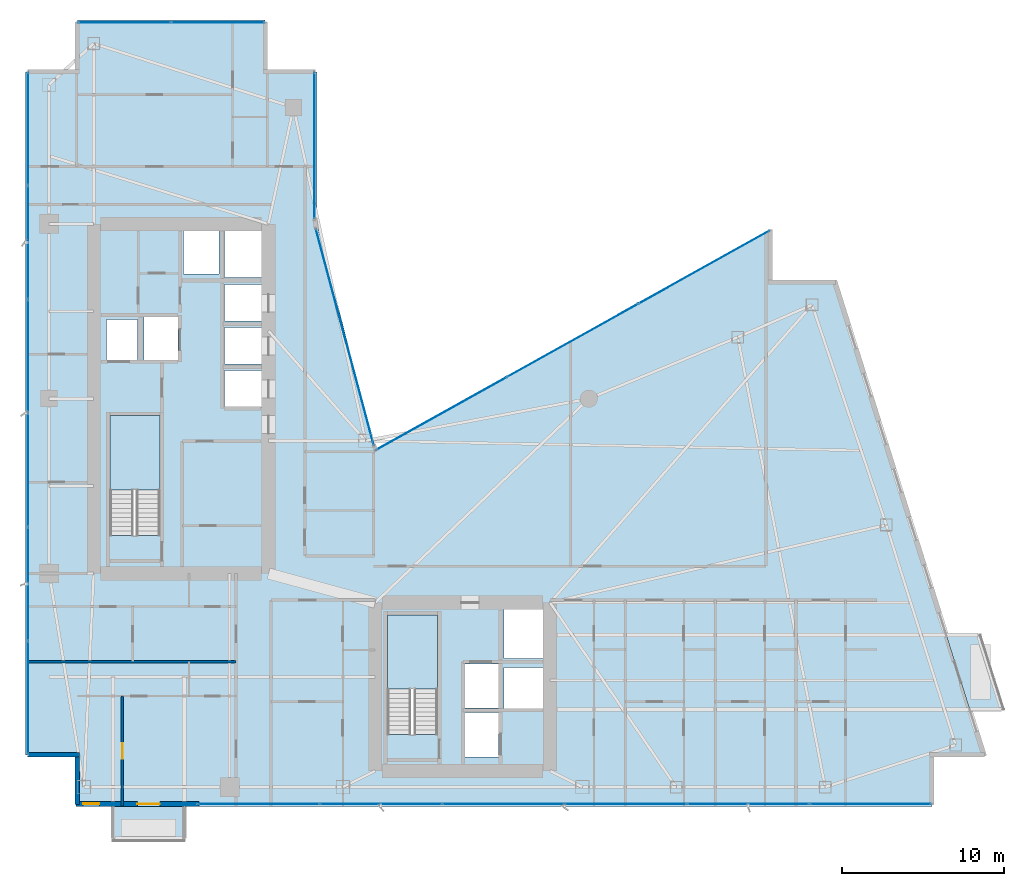
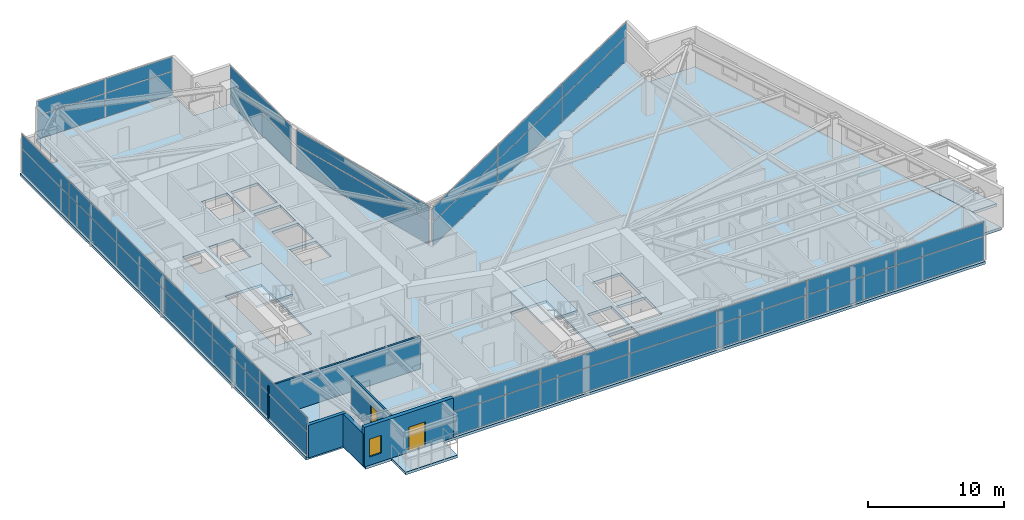
# One storey, part 21 of 29: 38 plates, 5 slabs, 5 walls, 2 doors, 1 window, 3 openings, 8 elements without a shape of their own.
"""IFC4 building model written with IfcOpenShell, lengths in metres."""

from ifc_helpers import new_model, si_unit, direction, frame, frame_2d, origin, origin_2d, place, context, subcontext, project, spatial, polyline, rectangle, outline, extrude, material, layer, layer_set, type_object, element, fill, aggregate, save


model = new_model("IFC4")

# Units and contexts
model_context = context("Model", 3, precision=1e-05, world=origin(), true_north=direction((0.0, 1.0)))
body_context = subcontext(model_context, "Body", "Model", "MODEL_VIEW")
ifc_project = project(units=[si_unit("LENGTHUNIT", "METRE"), si_unit("AREAUNIT", "SQUARE_METRE"), si_unit("VOLUMEUNIT", "CUBIC_METRE"), si_unit("PLANEANGLEUNIT", "RADIAN"), si_unit("MASSUNIT", "GRAM", prefix="KILO")], contexts=[model_context])

# Site, building, storey
site_placement = place(None, origin())
site = spatial("IfcSite", under=ifc_project, at=site_placement, CompositionType="ELEMENT")
building_placement = place(site_placement, origin())
building = spatial("IfcBuilding", under=site, at=building_placement, Name="Calvorn Quay Hotel", CompositionType="ELEMENT")
storey_placement = place(building_placement, frame((0.0, 0.0, 167.5)))
storey = spatial("IfcBuildingStorey", under=building, at=storey_placement, Name="L41", CompositionType="ELEMENT", Elevation=167.5)

# Curtain wall, plates
ifc_material_1 = material(Name="Pale Anodised Aluminium and Low-E Glass", Category="aluminium")
ifc_layer_1 = layer(ifc_material_1, 0.219970703125)
ifc_layer_set_1 = layer_set([ifc_layer_1], Name="CW-SYS-Z2")
curtain_wall_type = type_object("IfcCurtainWallType", Name="CW-SYS-Z2", PredefinedType="NOTDEFINED", material=ifc_layer_set_1)
curtain_wall_1_placement = place(storey_placement, origin())
curtain_wall_1 = element("IfcCurtainWall", 1, at=curtain_wall_1_placement, inside=storey, type_object=curtain_wall_type, Name="Tower West Curtain Wall (L41)", PredefinedType="NOTDEFINED")
ifc_material_2 = material(Name="Low-E Laminated Double Glazing", Category="glass")
ifc_layer_2 = layer(ifc_material_2, 0.028076171875)
ifc_layer_set_2 = layer_set([ifc_layer_2], Name="CW-SYS-Z2-PAN")
plate_type = type_object("IfcPlateType", Name="CW-SYS-Z2-PAN", PredefinedType="CURTAIN_PANEL", material=ifc_layer_set_2)
plate_1_placement = place(storey_placement, frame((0.14990234375, 9.131591796875, 0.06005859375), z_axis=(0.0, 0.0, 1.0), x_axis=(0.0, 1.0, 0.0)))
plate_1 = element("IfcPlate", 2, at=plate_1_placement, type_object=plate_type, Name="CW-L41-W panel 1.1", PredefinedType="CURTAIN_PANEL", context=body_context, shape_type="SweptSolid", body=[
    extrude(rectangle(XDim=6.943359375, YDim=0.028076171875, at=origin_2d()), origin(), (0.0, 0.0, 1.0), 2.110107421875),
])
plate_2_placement = place(storey_placement, frame((0.14990234375, 9.131591796875, 2.22998046875), z_axis=(0.0, 0.0, 1.0), x_axis=(0.0, 1.0, 0.0)))
plate_2 = element("IfcPlate", 3, at=plate_2_placement, type_object=plate_type, Name="CW-L41-W panel 1.2", PredefinedType="CURTAIN_PANEL", context=body_context, shape_type="SweptSolid", body=[
    extrude(rectangle(XDim=6.943359375, YDim=0.028076171875, at=origin_2d()), origin(), (0.0, 0.0, 1.0), 1.27001953125),
])
plate_3_placement = place(storey_placement, frame((0.14990234375, 16.14990234375, 0.06005859375), z_axis=(0.0, 0.0, 1.0), x_axis=(0.0, 1.0, 0.0)))
plate_3 = element("IfcPlate", 4, at=plate_3_placement, type_object=plate_type, Name="CW-L41-W panel 2.1", PredefinedType="CURTAIN_PANEL", context=body_context, shape_type="SweptSolid", body=[
    extrude(rectangle(XDim=6.973388671875, YDim=0.028076171875, at=origin_2d()), origin(), (0.0, 0.0, 1.0), 2.110107421875),
])
plate_4_placement = place(storey_placement, frame((0.14990234375, 16.14990234375, 2.22998046875), z_axis=(0.0, 0.0, 1.0), x_axis=(0.0, 1.0, 0.0)))
plate_4 = element("IfcPlate", 5, at=plate_4_placement, type_object=plate_type, Name="CW-L41-W panel 2.2", PredefinedType="CURTAIN_PANEL", context=body_context, shape_type="SweptSolid", body=[
    extrude(rectangle(XDim=6.973388671875, YDim=0.028076171875, at=origin_2d()), origin(), (0.0, 0.0, 1.0), 1.27001953125),
])
plate_5_placement = place(storey_placement, frame((0.14990234375, 23.183349609375, 0.06005859375), z_axis=(0.0, 0.0, 1.0), x_axis=(0.0, 1.0, 0.0)))
plate_5 = element("IfcPlate", 6, at=plate_5_placement, type_object=plate_type, Name="CW-L41-W panel 3.1", PredefinedType="CURTAIN_PANEL", context=body_context, shape_type="SweptSolid", body=[
    extrude(rectangle(XDim=6.973388671875, YDim=0.028076171875, at=origin_2d()), origin(), (0.0, 0.0, 1.0), 2.110107421875),
])
plate_6_placement = place(storey_placement, frame((0.14990234375, 23.183349609375, 2.22998046875), z_axis=(0.0, 0.0, 1.0), x_axis=(0.0, 1.0, 0.0)))
plate_6 = element("IfcPlate", 7, at=plate_6_placement, type_object=plate_type, Name="CW-L41-W panel 3.2", PredefinedType="CURTAIN_PANEL", context=body_context, shape_type="SweptSolid", body=[
    extrude(rectangle(XDim=6.973388671875, YDim=0.028076171875, at=origin_2d()), origin(), (0.0, 0.0, 1.0), 1.27001953125),
])
plate_7_placement = place(storey_placement, frame((0.14990234375, 30.216552734375, 0.06005859375), z_axis=(0.0, 0.0, 1.0), x_axis=(0.0, 1.0, 0.0)))
plate_7 = element("IfcPlate", 8, at=plate_7_placement, type_object=plate_type, Name="CW-L41-W panel 4.1", PredefinedType="CURTAIN_PANEL", context=body_context, shape_type="SweptSolid", body=[
    extrude(rectangle(XDim=6.973388671875, YDim=0.028076171875, at=origin_2d()), origin(), (0.0, 0.0, 1.0), 2.110107421875),
])
plate_8_placement = place(storey_placement, frame((0.14990234375, 30.216552734375, 2.22998046875), z_axis=(0.0, 0.0, 1.0), x_axis=(0.0, 1.0, 0.0)))
plate_8 = element("IfcPlate", 9, at=plate_8_placement, type_object=plate_type, Name="CW-L41-W panel 4.2", PredefinedType="CURTAIN_PANEL", context=body_context, shape_type="SweptSolid", body=[
    extrude(rectangle(XDim=6.973388671875, YDim=0.028076171875, at=origin_2d()), origin(), (0.0, 0.0, 1.0), 1.27001953125),
])
plate_9_placement = place(storey_placement, frame((0.14990234375, 37.25, 0.06005859375), z_axis=(0.0, 0.0, 1.0), x_axis=(0.0, 1.0, 0.0)))
plate_9 = element("IfcPlate", 10, at=plate_9_placement, type_object=plate_type, Name="CW-L41-W panel 5.1", PredefinedType="CURTAIN_PANEL", context=body_context, shape_type="SweptSolid", body=[
    extrude(rectangle(XDim=6.973388671875, YDim=0.028076171875, at=origin_2d()), origin(), (0.0, 0.0, 1.0), 2.110107421875),
])
plate_10_placement = place(storey_placement, frame((0.14990234375, 37.25, 2.22998046875), z_axis=(0.0, 0.0, 1.0), x_axis=(0.0, 1.0, 0.0)))
plate_10 = element("IfcPlate", 11, at=plate_10_placement, type_object=plate_type, Name="CW-L41-W panel 5.2", PredefinedType="CURTAIN_PANEL", context=body_context, shape_type="SweptSolid", body=[
    extrude(rectangle(XDim=6.973388671875, YDim=0.028076171875, at=origin_2d()), origin(), (0.0, 0.0, 1.0), 1.27001953125),
])
plate_11_placement = place(storey_placement, frame((0.14990234375, 44.268310546875, 0.06005859375), z_axis=(0.0, 0.0, 1.0), x_axis=(0.0, 1.0, 0.0)))
plate_11 = element("IfcPlate", 12, at=plate_11_placement, type_object=plate_type, Name="CW-L41-W panel 6.1", PredefinedType="CURTAIN_PANEL", context=body_context, shape_type="SweptSolid", body=[
    extrude(rectangle(XDim=6.943359375, YDim=0.028076171875, at=origin_2d()), origin(), (0.0, 0.0, 1.0), 2.110107421875),
])
plate_12_placement = place(storey_placement, frame((0.14990234375, 44.268310546875, 2.22998046875), z_axis=(0.0, 0.0, 1.0), x_axis=(0.0, 1.0, 0.0)))
plate_12 = element("IfcPlate", 13, at=plate_12_placement, type_object=plate_type, Name="CW-L41-W panel 6.2", PredefinedType="CURTAIN_PANEL", context=body_context, shape_type="SweptSolid", body=[
    extrude(rectangle(XDim=6.943359375, YDim=0.028076171875, at=origin_2d()), origin(), (0.0, 0.0, 1.0), 1.27001953125),
])
aggregate(curtain_wall_1, [plate_1, plate_2, plate_3, plate_4, plate_5, plate_6, plate_7, plate_8, plate_9, plate_10, plate_11, plate_12])

curtain_wall_2_placement = place(storey_placement, origin())
curtain_wall_2 = element("IfcCurtainWall", 14, at=curtain_wall_2_placement, inside=storey, type_object=curtain_wall_type, Name="Tower South Waterfront Curtain Wall (L41)", PredefinedType="NOTDEFINED")
plate_13_placement = place(storey_placement, frame((14.3984375, 2.550048828125, 0.06005859375), z_axis=(0.0, 0.0, 1.0), x_axis=(1.0, 0.0, 0.0)))
plate_13 = element("IfcPlate", 15, at=plate_13_placement, type_object=plate_type, Name="CW-L41-S panel 1.1", PredefinedType="CURTAIN_PANEL", context=body_context, shape_type="SweptSolid", body=[
    extrude(rectangle(XDim=7.4765625, YDim=0.028076171875, at=origin_2d()), origin(), (0.0, 0.0, 1.0), 2.110107421875),
])
plate_14_placement = place(storey_placement, frame((14.3984375, 2.550048828125, 2.22998046875), z_axis=(0.0, 0.0, 1.0), x_axis=(1.0, 0.0, 0.0)))
plate_14 = element("IfcPlate", 16, at=plate_14_placement, type_object=plate_type, Name="CW-L41-S panel 1.2", PredefinedType="CURTAIN_PANEL", context=body_context, shape_type="SweptSolid", body=[
    extrude(rectangle(XDim=7.4765625, YDim=0.028076171875, at=origin_2d()), origin(), (0.0, 0.0, 1.0), 1.27001953125),
])
plate_15_placement = place(storey_placement, frame((21.949951171875, 2.550048828125, 0.06005859375), z_axis=(0.0, 0.0, 1.0), x_axis=(1.0, 0.0, 0.0)))
plate_15 = element("IfcPlate", 17, at=plate_15_placement, type_object=plate_type, Name="CW-L41-S panel 2.1", PredefinedType="CURTAIN_PANEL", context=body_context, shape_type="SweptSolid", body=[
    extrude(rectangle(XDim=7.506591796875, YDim=0.028076171875, at=origin_2d()), origin(), (0.0, 0.0, 1.0), 2.110107421875),
])
plate_16_placement = place(storey_placement, frame((21.949951171875, 2.550048828125, 2.22998046875), z_axis=(0.0, 0.0, 1.0), x_axis=(1.0, 0.0, 0.0)))
plate_16 = element("IfcPlate", 18, at=plate_16_placement, type_object=plate_type, Name="CW-L41-S panel 2.2", PredefinedType="CURTAIN_PANEL", context=body_context, shape_type="SweptSolid", body=[
    extrude(rectangle(XDim=7.506591796875, YDim=0.028076171875, at=origin_2d()), origin(), (0.0, 0.0, 1.0), 1.27001953125),
])
plate_17_placement = place(storey_placement, frame((29.5166015625, 2.550048828125, 0.06005859375), z_axis=(0.0, 0.0, 1.0), x_axis=(1.0, 0.0, 0.0)))
plate_17 = element("IfcPlate", 19, at=plate_17_placement, type_object=plate_type, Name="CW-L41-S panel 3.1", PredefinedType="CURTAIN_PANEL", context=body_context, shape_type="SweptSolid", body=[
    extrude(rectangle(XDim=7.506591796875, YDim=0.028076171875, at=origin_2d()), origin(), (0.0, 0.0, 1.0), 2.110107421875),
])
plate_18_placement = place(storey_placement, frame((29.5166015625, 2.550048828125, 2.22998046875), z_axis=(0.0, 0.0, 1.0), x_axis=(1.0, 0.0, 0.0)))
plate_18 = element("IfcPlate", 20, at=plate_18_placement, type_object=plate_type, Name="CW-L41-S panel 3.2", PredefinedType="CURTAIN_PANEL", context=body_context, shape_type="SweptSolid", body=[
    extrude(rectangle(XDim=7.506591796875, YDim=0.028076171875, at=origin_2d()), origin(), (0.0, 0.0, 1.0), 1.27001953125),
])
plate_19_placement = place(storey_placement, frame((37.083251953125, 2.550048828125, 0.06005859375), z_axis=(0.0, 0.0, 1.0), x_axis=(1.0, 0.0, 0.0)))
plate_19 = element("IfcPlate", 21, at=plate_19_placement, type_object=plate_type, Name="CW-L41-S panel 4.1", PredefinedType="CURTAIN_PANEL", context=body_context, shape_type="SweptSolid", body=[
    extrude(rectangle(XDim=7.506591796875, YDim=0.028076171875, at=origin_2d()), origin(), (0.0, 0.0, 1.0), 2.110107421875),
])
plate_20_placement = place(storey_placement, frame((37.083251953125, 2.550048828125, 2.22998046875), z_axis=(0.0, 0.0, 1.0), x_axis=(1.0, 0.0, 0.0)))
plate_20 = element("IfcPlate", 22, at=plate_20_placement, type_object=plate_type, Name="CW-L41-S panel 4.2", PredefinedType="CURTAIN_PANEL", context=body_context, shape_type="SweptSolid", body=[
    extrude(rectangle(XDim=7.506591796875, YDim=0.028076171875, at=origin_2d()), origin(), (0.0, 0.0, 1.0), 1.27001953125),
])
plate_21_placement = place(storey_placement, frame((44.64990234375, 2.550048828125, 0.06005859375), z_axis=(0.0, 0.0, 1.0), x_axis=(1.0, 0.0, 0.0)))
plate_21 = element("IfcPlate", 23, at=plate_21_placement, type_object=plate_type, Name="CW-L41-S panel 5.1", PredefinedType="CURTAIN_PANEL", context=body_context, shape_type="SweptSolid", body=[
    extrude(rectangle(XDim=7.506591796875, YDim=0.028076171875, at=origin_2d()), origin(), (0.0, 0.0, 1.0), 2.110107421875),
])
plate_22_placement = place(storey_placement, frame((44.64990234375, 2.550048828125, 2.22998046875), z_axis=(0.0, 0.0, 1.0), x_axis=(1.0, 0.0, 0.0)))
plate_22 = element("IfcPlate", 24, at=plate_22_placement, type_object=plate_type, Name="CW-L41-S panel 5.2", PredefinedType="CURTAIN_PANEL", context=body_context, shape_type="SweptSolid", body=[
    extrude(rectangle(XDim=7.506591796875, YDim=0.028076171875, at=origin_2d()), origin(), (0.0, 0.0, 1.0), 1.27001953125),
])
plate_23_placement = place(storey_placement, frame((52.20166015625, 2.550048828125, 0.06005859375), z_axis=(0.0, 0.0, 1.0), x_axis=(1.0, 0.0, 0.0)))
plate_23 = element("IfcPlate", 25, at=plate_23_placement, type_object=plate_type, Name="CW-L41-S panel 6.1", PredefinedType="CURTAIN_PANEL", context=body_context, shape_type="SweptSolid", body=[
    extrude(rectangle(XDim=7.4765625, YDim=0.028076171875, at=origin_2d()), origin(), (0.0, 0.0, 1.0), 2.110107421875),
])
plate_24_placement = place(storey_placement, frame((52.20166015625, 2.550048828125, 2.22998046875), z_axis=(0.0, 0.0, 1.0), x_axis=(1.0, 0.0, 0.0)))
plate_24 = element("IfcPlate", 26, at=plate_24_placement, type_object=plate_type, Name="CW-L41-S panel 6.2", PredefinedType="CURTAIN_PANEL", context=body_context, shape_type="SweptSolid", body=[
    extrude(rectangle(XDim=7.4765625, YDim=0.028076171875, at=origin_2d()), origin(), (0.0, 0.0, 1.0), 1.27001953125),
])
aggregate(curtain_wall_2, [plate_13, plate_14, plate_15, plate_16, plate_17, plate_18, plate_19, plate_20, plate_21, plate_22, plate_23, plate_24])

curtain_wall_3_placement = place(storey_placement, origin())
curtain_wall_3 = element("IfcCurtainWall", 27, at=curtain_wall_3_placement, inside=storey, type_object=curtain_wall_type, Name="Inner Court Curtain Wall L41-NE1", PredefinedType="NOTDEFINED")
plate_25_placement = place(storey_placement, frame((41.920166015625, 35.72607421875, 0.06005859375), z_axis=(0.0, 0.0, 1.0), x_axis=(-0.873480989116, -0.486858256224, 0.0)))
plate_25 = element("IfcPlate", 28, at=plate_25_placement, type_object=plate_type, Name="CW-L41-NE1 panel 1.1", PredefinedType="CURTAIN_PANEL", context=body_context, shape_type="SweptSolid", body=[
    extrude(rectangle(XDim=9.221435546875, YDim=0.028076171875, at=origin_2d()), origin(), (0.0, 0.0, 1.0), 2.110107421875),
])
plate_26_placement = place(storey_placement, frame((41.920166015625, 35.72607421875, 2.22998046875), z_axis=(0.0, 0.0, 1.0), x_axis=(-0.873480989116, -0.486858256224, 0.0)))
plate_26 = element("IfcPlate", 29, at=plate_26_placement, type_object=plate_type, Name="CW-L41-NE1 panel 1.2", PredefinedType="CURTAIN_PANEL", context=body_context, shape_type="SweptSolid", body=[
    extrude(rectangle(XDim=9.221435546875, YDim=0.028076171875, at=origin_2d()), origin(), (0.0, 0.0, 1.0), 1.27001953125),
])
plate_27_placement = place(storey_placement, frame((33.800048828125, 31.199951171875, 0.06005859375), z_axis=(0.0, 0.0, 1.0), x_axis=(-0.873480989116, -0.486858256224, 0.0)))
plate_27 = element("IfcPlate", 30, at=plate_27_placement, type_object=plate_type, Name="CW-L41-NE1 panel 2.1", PredefinedType="CURTAIN_PANEL", context=body_context, shape_type="SweptSolid", body=[
    extrude(rectangle(XDim=9.25146484375, YDim=0.028076171875, at=origin_2d()), origin(), (0.0, 0.0, 1.0), 2.110107421875),
])
plate_28_placement = place(storey_placement, frame((33.800048828125, 31.199951171875, 2.22998046875), z_axis=(0.0, 0.0, 1.0), x_axis=(-0.873480989116, -0.486858256224, 0.0)))
plate_28 = element("IfcPlate", 31, at=plate_28_placement, type_object=plate_type, Name="CW-L41-NE1 panel 2.2", PredefinedType="CURTAIN_PANEL", context=body_context, shape_type="SweptSolid", body=[
    extrude(rectangle(XDim=9.25146484375, YDim=0.028076171875, at=origin_2d()), origin(), (0.0, 0.0, 1.0), 1.27001953125),
])
plate_29_placement = place(storey_placement, frame((25.6796875, 26.674072265625, 0.06005859375), z_axis=(0.0, 0.0, 1.0), x_axis=(-0.873480989116, -0.486858256224, 0.0)))
plate_29 = element("IfcPlate", 32, at=plate_29_placement, type_object=plate_type, Name="CW-L41-NE1 panel 3.1", PredefinedType="CURTAIN_PANEL", context=body_context, shape_type="SweptSolid", body=[
    extrude(rectangle(XDim=9.221435546875, YDim=0.028076171875, at=origin_2d()), origin(), (0.0, 0.0, 1.0), 2.110107421875),
])
plate_30_placement = place(storey_placement, frame((25.6796875, 26.674072265625, 2.22998046875), z_axis=(0.0, 0.0, 1.0), x_axis=(-0.873480989116, -0.486858256224, 0.0)))
plate_30 = element("IfcPlate", 33, at=plate_30_placement, type_object=plate_type, Name="CW-L41-NE1 panel 3.2", PredefinedType="CURTAIN_PANEL", context=body_context, shape_type="SweptSolid", body=[
    extrude(rectangle(XDim=9.221435546875, YDim=0.028076171875, at=origin_2d()), origin(), (0.0, 0.0, 1.0), 1.27001953125),
])
aggregate(curtain_wall_3, [plate_25, plate_26, plate_27, plate_28, plate_29, plate_30])

curtain_wall_4_placement = place(storey_placement, origin())
curtain_wall_4 = element("IfcCurtainWall", 34, at=curtain_wall_4_placement, inside=storey, type_object=curtain_wall_type, Name="Inner Court Curtain Wall L41-IC1", PredefinedType="NOTDEFINED")
plate_31_placement = place(storey_placement, frame((19.72509765625, 31.39990234375, 0.06005859375), z_axis=(0.0, 0.0, 1.0), x_axis=(-0.25877913024, 0.96593652056, 0.0)))
plate_31 = element("IfcPlate", 35, at=plate_31_placement, type_object=plate_type, Name="CW-L41-IC1 panel 1.1", PredefinedType="CURTAIN_PANEL", context=body_context, shape_type="SweptSolid", body=[
    extrude(rectangle(XDim=13.814697265625, YDim=0.028076171875, at=origin_2d()), origin(), (0.0, 0.0, 1.0), 2.110107421875),
])
plate_32_placement = place(storey_placement, frame((19.72509765625, 31.39990234375, 2.22998046875), z_axis=(0.0, 0.0, 1.0), x_axis=(-0.25877913024, 0.96593652056, 0.0)))
plate_32 = element("IfcPlate", 36, at=plate_32_placement, type_object=plate_type, Name="CW-L41-IC1 panel 1.2", PredefinedType="CURTAIN_PANEL", context=body_context, shape_type="SweptSolid", body=[
    extrude(rectangle(XDim=13.814697265625, YDim=0.028076171875, at=origin_2d()), origin(), (0.0, 0.0, 1.0), 1.27001953125),
])
aggregate(curtain_wall_4, [plate_31, plate_32])

curtain_wall_5_placement = place(storey_placement, origin())
curtain_wall_5 = element("IfcCurtainWall", 37, at=curtain_wall_5_placement, inside=storey, type_object=curtain_wall_type, Name="Inner Court Curtain Wall L41-IC2", PredefinedType="NOTDEFINED")
plate_33_placement = place(storey_placement, frame((17.85009765625, 43.239990234375, 0.06005859375), z_axis=(0.0, 0.0, 1.0), x_axis=(0.0, 1.0, 0.0)))
plate_33 = element("IfcPlate", 38, at=plate_33_placement, type_object=plate_type, Name="CW-L41-IC2 panel 1.1", PredefinedType="CURTAIN_PANEL", context=body_context, shape_type="SweptSolid", body=[
    extrude(rectangle(XDim=9.0, YDim=0.028076171875, at=origin_2d()), origin(), (0.0, 0.0, 1.0), 2.110107421875),
])
plate_34_placement = place(storey_placement, frame((17.85009765625, 43.239990234375, 2.22998046875), z_axis=(0.0, 0.0, 1.0), x_axis=(0.0, 1.0, 0.0)))
plate_34 = element("IfcPlate", 39, at=plate_34_placement, type_object=plate_type, Name="CW-L41-IC2 panel 1.2", PredefinedType="CURTAIN_PANEL", context=body_context, shape_type="SweptSolid", body=[
    extrude(rectangle(XDim=9.0, YDim=0.028076171875, at=origin_2d()), origin(), (0.0, 0.0, 1.0), 1.27001953125),
])
aggregate(curtain_wall_5, [plate_33, plate_34])

curtain_wall_6_placement = place(storey_placement, origin())
curtain_wall_6 = element("IfcCurtainWall", 40, at=curtain_wall_6_placement, inside=storey, type_object=curtain_wall_type, Name="Inner Court Curtain Wall L41-N1", PredefinedType="NOTDEFINED")
plate_35_placement = place(storey_placement, frame((11.885009765625, 50.85009765625, 0.06005859375), z_axis=(0.0, 0.0, 1.0), x_axis=(-1.0, 0.0, 0.0)))
plate_35 = element("IfcPlate", 41, at=plate_35_placement, type_object=plate_type, Name="CW-L41-N1 panel 1.1", PredefinedType="CURTAIN_PANEL", context=body_context, shape_type="SweptSolid", body=[
    extrude(rectangle(XDim=5.7099609375, YDim=0.028076171875, at=origin_2d()), origin(), (0.0, 0.0, 1.0), 2.110107421875),
])
plate_36_placement = place(storey_placement, frame((11.885009765625, 50.85009765625, 2.22998046875), z_axis=(0.0, 0.0, 1.0), x_axis=(-1.0, 0.0, 0.0)))
plate_36 = element("IfcPlate", 42, at=plate_36_placement, type_object=plate_type, Name="CW-L41-N1 panel 1.2", PredefinedType="CURTAIN_PANEL", context=body_context, shape_type="SweptSolid", body=[
    extrude(rectangle(XDim=5.7099609375, YDim=0.028076171875, at=origin_2d()), origin(), (0.0, 0.0, 1.0), 1.27001953125),
])
plate_37_placement = place(storey_placement, frame((6.114990234375, 50.85009765625, 0.06005859375), z_axis=(0.0, 0.0, 1.0), x_axis=(-1.0, 0.0, 0.0)))
plate_37 = element("IfcPlate", 43, at=plate_37_placement, type_object=plate_type, Name="CW-L41-N1 panel 2.1", PredefinedType="CURTAIN_PANEL", context=body_context, shape_type="SweptSolid", body=[
    extrude(rectangle(XDim=5.7099609375, YDim=0.028076171875, at=origin_2d()), origin(), (0.0, 0.0, 1.0), 2.110107421875),
])
plate_38_placement = place(storey_placement, frame((6.114990234375, 50.85009765625, 2.22998046875), z_axis=(0.0, 0.0, 1.0), x_axis=(-1.0, 0.0, 0.0)))
plate_38 = element("IfcPlate", 44, at=plate_38_placement, type_object=plate_type, Name="CW-L41-N1 panel 2.2", PredefinedType="CURTAIN_PANEL", context=body_context, shape_type="SweptSolid", body=[
    extrude(rectangle(XDim=5.7099609375, YDim=0.028076171875, at=origin_2d()), origin(), (0.0, 0.0, 1.0), 1.27001953125),
])
aggregate(curtain_wall_6, [plate_35, plate_36, plate_37, plate_38])

# Slabs
ifc_material_3 = material(Name="Concrete C40", Category="concrete")
ifc_layer_3 = layer(ifc_material_3, 0.239990234375)
ifc_layer_set_3 = layer_set([ifc_layer_3], Name="SLB-BALCONY-220")
slab_type_1 = type_object("IfcSlabType", Name="SLB-BALCONY-220", PredefinedType="FLOOR", material=ifc_layer_set_3)
slab_1_placement = place(storey_placement, frame((0.0, 0.0, -0.239990234375)))
element("IfcSlab", 45, at=slab_1_placement, inside=storey, type_object=slab_type_1, Name="Tree Balcony Slab L41-BALC-E", PredefinedType="FLOOR", context=body_context, shape_type="SweptSolid", body=[
    extrude(outline(polyline([(58.327880859375, 8.39990234375), (60.427978515625, 8.39990234375), (58.97802734375, 13.0), (56.8779296875, 13.0), (58.327880859375, 8.39990234375)])), origin(), (0.0, 0.0, 1.0), 0.239990234375),
])
slab_2_placement = place(storey_placement, frame((0.0, 0.0, -0.239990234375)))
element("IfcSlab", 46, at=slab_2_placement, inside=storey, type_object=slab_type_1, Name="Tree Balcony Slab L41-BALC-S", PredefinedType="FLOOR", context=body_context, shape_type="SweptSolid", body=[
    extrude(outline(polyline([(5.39990234375, 0.2900390625), (9.800048828125, 0.2900390625), (9.800048828125, 2.389892578125), (5.39990234375, 2.389892578125), (5.39990234375, 0.2900390625)])), origin(), (0.0, 0.0, 1.0), 0.239990234375),
])

# Stair, slab
ifc_material_4 = material(Name="Concrete C40", Category="concrete")
stair_type = type_object("IfcStairType", Name="STR-CORE-DOGLEG", PredefinedType="HALF_TURN_STAIR", material=ifc_material_4)
stair_1_placement = place(storey_placement, origin())
stair_1 = element("IfcStair", 47, at=stair_1_placement, inside=storey, type_object=stair_type, Name="L41 ST-W", PredefinedType="HALF_TURN_STAIR")
ifc_material_5 = material(Name="Concrete C40", Category="concrete")
ifc_layer_4 = layer(ifc_material_5, 0.199951171875)
ifc_layer_set_4 = layer_set([ifc_layer_4], Name="SLB-STAIR-LANDING-200")
slab_type_2 = type_object("IfcSlabType", Name="SLB-STAIR-LANDING-200", PredefinedType="LANDING", material=ifc_layer_set_4)
slab_3_placement = place(storey_placement, frame((0.0, 0.0, 1.699951171875)))
slab_3 = element("IfcSlab", 48, at=slab_3_placement, type_object=slab_type_2, Name="ST-W landing 1", PredefinedType="LANDING", context=body_context, shape_type="SweptSolid", body=[
    extrude(outline(polyline([(8.300048828125, 21.949951171875), (8.300048828125, 26.550048828125), (5.199951171875, 26.550048828125), (5.199951171875, 21.949951171875), (8.300048828125, 21.949951171875)])), origin(), (0.0, 0.0, 1.0), 0.199951171875),
])
aggregate(stair_1, [slab_3])

stair_2_placement = place(storey_placement, origin())
stair_2 = element("IfcStair", 49, at=stair_2_placement, inside=storey, type_object=stair_type, Name="L41 ST-E", PredefinedType="HALF_TURN_STAIR")
slab_4_placement = place(storey_placement, frame((0.0, 0.0, 1.699951171875)))
slab_4 = element("IfcSlab", 50, at=slab_4_placement, type_object=slab_type_2, Name="ST-E landing 1", PredefinedType="LANDING", context=body_context, shape_type="SweptSolid", body=[
    extrude(outline(polyline([(25.449951171875, 9.64990234375), (25.449951171875, 14.25), (22.35009765625, 14.25), (22.35009765625, 9.64990234375), (25.449951171875, 9.64990234375)])), origin(), (0.0, 0.0, 1.0), 0.199951171875),
])
aggregate(stair_2, [slab_4])

# Slab
ifc_material_6 = material(Name="Concrete C40", Category="concrete")
ifc_layer_5 = layer(ifc_material_6, 0.239990234375)
ifc_layer_set_5 = layer_set([ifc_layer_5], Name="SLB-TOWER-240")
slab_type_3 = type_object("IfcSlabType", Name="SLB-TOWER-240", PredefinedType="FLOOR", material=ifc_layer_set_5)
slab_5_placement = place(storey_placement, frame((0.0, 0.0, -0.239990234375)))
element("IfcSlab", 51, at=slab_5_placement, inside=storey, type_object=slab_type_3, Name="L41 Structural Floor Slab", PredefinedType="FLOOR", context=body_context, shape_type="SweptSolid", body=[
    extrude(outline(polyline([(0.0, 5.60009765625), (3.199951171875, 5.60009765625), (3.199951171875, 2.39990234375), (56.0, 2.39990234375), (56.0, 5.60009765625), (59.199951171875, 5.60009765625), (50.0, 34.800048828125), (46.0, 34.800048828125), (46.0, 38.0), (21.60009765625, 24.39990234375), (18.0, 38.39990234375), (18.0, 47.800048828125), (14.800048828125, 47.800048828125), (14.800048828125, 51.0), (3.199951171875, 51.0), (3.199951171875, 47.800048828125), (0.0, 47.800048828125), (0.0, 5.60009765625)]), holes=[polyline([(5.199951171875, 19.156005859375), (8.300048828125, 19.156005859375), (8.300048828125, 26.550048828125), (5.199951171875, 26.550048828125), (5.199951171875, 19.156005859375)]), polyline([(22.35009765625, 6.85595703125), (25.449951171875, 6.85595703125), (25.449951171875, 14.25), (22.35009765625, 14.25), (22.35009765625, 6.85595703125)]), polyline([(5.0, 30.0), (6.89990234375, 30.0), (6.89990234375, 32.5), (5.0, 32.5), (5.0, 30.0)]), polyline([(7.300048828125, 30.0), (9.39990234375, 30.0), (9.39990234375, 32.64990234375), (7.300048828125, 32.64990234375), (7.300048828125, 30.0)]), polyline([(27.159912109375, 8.5), (29.2099609375, 8.5), (29.2099609375, 11.199951171875), (27.159912109375, 11.199951171875), (27.159912109375, 8.5)]), polyline([(27.159912109375, 5.449951171875), (29.2099609375, 5.449951171875), (29.2099609375, 8.199951171875), (27.159912109375, 8.199951171875), (27.159912109375, 5.449951171875)]), polyline([(12.300048828125, 27.10009765625), (14.56494140625, 27.10009765625), (14.56494140625, 29.35009765625), (12.300048828125, 29.35009765625), (12.300048828125, 27.10009765625)]), polyline([(12.300048828125, 29.75), (14.56494140625, 29.75), (14.56494140625, 32.0), (12.300048828125, 32.0), (12.300048828125, 29.75)]), polyline([(12.300048828125, 32.39990234375), (14.56494140625, 32.39990234375), (14.56494140625, 34.64990234375), (12.300048828125, 34.64990234375), (12.300048828125, 32.39990234375)]), polyline([(12.300048828125, 35.10009765625), (14.56494140625, 35.10009765625), (14.56494140625, 37.965087890625), (12.300048828125, 37.965087890625), (12.300048828125, 35.10009765625)]), polyline([(9.75, 35.300048828125), (11.949951171875, 35.300048828125), (11.949951171875, 37.965087890625), (9.75, 37.965087890625), (9.75, 35.300048828125)]), polyline([(29.550048828125, 11.550048828125), (31.965087890625, 11.550048828125), (31.965087890625, 14.56494140625), (29.550048828125, 14.56494140625), (29.550048828125, 11.550048828125)]), polyline([(29.550048828125, 8.449951171875), (31.965087890625, 8.449951171875), (31.965087890625, 11.0), (29.550048828125, 11.0), (29.550048828125, 8.449951171875)])]), origin(), (0.0, 0.0, 1.0), 0.239990234375),
])

# Wall, openings, door, window
ifc_material_7 = material(Name="Concrete C40", Category="concrete")
ifc_layer_6 = layer(ifc_material_7, 0.320068359375)
ifc_layer_set_6 = layer_set([ifc_layer_6], Name="WL-EXT-SPANDREL-320")
wall_type_1 = type_object("IfcWallType", Name="WL-EXT-SPANDREL-320", PredefinedType="SOLIDWALL", material=ifc_layer_set_6)
wall_1_placement = place(storey_placement, frame((3.10009765625, 2.56005859375, 0.0), z_axis=(0.0, 0.0, 1.0), x_axis=(1.0, 0.0, 0.0)))
wall_1 = element("IfcWall", 52, at=wall_1_placement, inside=storey, type_object=wall_type_1, Name="South Balcony Exterior Wall (L41)", PredefinedType="SOLIDWALL", context=body_context, shape_type="SweptSolid", body=[
    extrude(rectangle(XDim=7.599853515625, YDim=0.320068359375, at=frame_2d((3.7998046875, 0.0))), origin(), (0.0, 0.0, 1.0), 3.56005859375),
])
opening_1_placement = place(wall_1_placement, frame((0.449951171875, 0.0, 0.75)))
opening_1 = element("IfcOpeningElement", 53, at=opening_1_placement, cuts=wall_1, Name="Opening WSB-L41-1", PredefinedType="OPENING", context=body_context, shape_type="SweptSolid", body=[
    extrude(rectangle(XDim=1.0, YDim=1.60009765625, at=frame_2d((0.5, 0.800048828125))), frame((0.0, 0.169921875, 0.0), z_axis=(0.0, -1.0, 0.0), x_axis=(1.0, 0.0, 0.0)), (0.0, 0.0, 1.0), 0.340087890625),
])
opening_2_placement = place(wall_1_placement, frame((3.800048828125, 0.0, 0.0)))
opening_2 = element("IfcOpeningElement", 54, at=opening_2_placement, cuts=wall_1, Name="Opening DB-L41-2", PredefinedType="OPENING", context=body_context, shape_type="SweptSolid", body=[
    extrude(rectangle(XDim=1.39990234375, YDim=2.25, at=frame_2d((0.699951171875, 1.125))), frame((0.0, 0.169921875, 0.0), z_axis=(0.0, -1.0, 0.0), x_axis=(1.0, 0.0, 0.0)), (0.0, 0.0, 1.0), 0.340087890625),
])
ifc_material_8 = material(Name="Typhoon-Rated Low-E Aluminium Terrace Door", Category="aluminium")
door_type_1 = type_object("IfcDoorType", Name="DR-BALCONY-GLZ-1400", OperationType="NOTDEFINED", PredefinedType="DOOR", material=ifc_material_8)
door_1_placement = place(opening_2_placement, origin())
door_1 = element("IfcDoor", 55, at=door_1_placement, inside=storey, type_object=door_type_1, Name="Tree Balcony Terrace Door L41-BALC-S", OperationType="SINGLE_SWING_LEFT", OverallHeight=2.25, OverallWidth=1.39990234375, PredefinedType="DOOR", context=body_context, shape_type="SweptSolid", body=[
    extrude(rectangle(XDim=1.39990234375, YDim=2.25, at=frame_2d((0.699951171875, 1.125))), frame((0.0, 0.02490234375, 0.0), z_axis=(0.0, -1.0, 0.0), x_axis=(1.0, 0.0, 0.0)), (0.0, 0.0, 1.0), 0.050048828125),
])
fill(opening_2, door_1)
ifc_material_9 = material(Name="Self-Closing Class B Side Fire Window")
window_type = type_object("IfcWindowType", Name="WIN-REFUGE-NARROW-1000x1600", PartitioningType="SINGLE_PANEL", PredefinedType="WINDOW", material=ifc_material_9)
window_placement = place(opening_1_placement, origin())
window = element("IfcWindow", 56, at=window_placement, inside=storey, type_object=window_type, Name="South Waterfront Side Window (L41)", OverallHeight=1.60009765625, OverallWidth=1.0, PartitioningType="SINGLE_PANEL", PredefinedType="WINDOW", context=body_context, shape_type="SweptSolid", body=[
    extrude(rectangle(XDim=1.0, YDim=1.60009765625, at=frame_2d((0.5, 0.800048828125))), frame((0.0, 0.030029296875, 0.0), z_axis=(0.0, -1.0, 0.0), x_axis=(1.0, 0.0, 0.0)), (0.0, 0.0, 1.0), 0.06005859375),
])
fill(opening_1, window)

# Walls
wall_2_placement = place(storey_placement, frame((0.1201171875, 5.60009765625, 0.0), z_axis=(0.0, 0.0, 1.0), x_axis=(1.0, 0.0, 0.0)))
element("IfcWall", 57, at=wall_2_placement, inside=storey, type_object=wall_type_1, Name="Notched Corner Spandrel L41-SW1", PredefinedType="SOLIDWALL", context=body_context, shape_type="SweptSolid", body=[
    extrude(rectangle(XDim=3.219970703125, YDim=0.280029296875, at=frame_2d((1.60986328125, 0.0))), origin(), (0.0, 0.0, 1.0), 2.93994140625),
])
wall_3_placement = place(storey_placement, frame((3.199951171875, 5.4599609375, 0.0), z_axis=(0.0, 0.0, 1.0), x_axis=(0.0, -1.0, 0.0)))
element("IfcWall", 58, at=wall_3_placement, inside=storey, type_object=wall_type_1, Name="Notched Corner Spandrel L41-SW2", PredefinedType="SOLIDWALL", context=body_context, shape_type="SweptSolid", body=[
    extrude(rectangle(XDim=2.93994140625, YDim=0.280029296875, at=frame_2d((1.469970703125, 0.0))), origin(), (0.0, 0.0, 1.0), 2.93994140625),
])

# Wall, opening, door
ifc_material_10 = material(Name="Double-Stud Acoustic Gypsum Partition")
ifc_layer_7 = layer(ifc_material_10, 0.159912109375)
ifc_layer_set_7 = layer_set([ifc_layer_7], Name="WL-INTERSUITE-160")
wall_type_2 = type_object("IfcWallType", Name="WL-INTERSUITE-160", PredefinedType="PARTITIONING", material=ifc_layer_set_7)
wall_4_placement = place(storey_placement, frame((5.97998046875, 2.43994140625, 0.0), z_axis=(0.0, 0.0, 1.0), x_axis=(0.0, 1.0, 0.0)))
wall_4 = element("IfcWall", 59, at=wall_4_placement, inside=storey, type_object=wall_type_2, Name="Partition Wall L41-WL-U01-MSP", PredefinedType="PARTITIONING", context=body_context, shape_type="SweptSolid", body=[
    extrude(rectangle(XDim=6.780029296875, YDim=0.159912109375, at=frame_2d((3.39013671875, 0.0))), origin(), (0.0, 0.0, 1.0), 3.0400390625),
])
opening_3_placement = place(wall_4_placement, frame((2.909912109375, 0.0, 0.0)))
opening_3 = element("IfcOpeningElement", 60, at=opening_3_placement, cuts=wall_4, Name="Opening D-L41-M01", PredefinedType="OPENING", context=body_context, shape_type="SweptSolid", body=[
    extrude(rectangle(XDim=0.9599609375, YDim=2.199951171875, at=frame_2d((0.47998046875, 1.10009765625))), frame((0.0, 0.08984375, 0.0), z_axis=(0.0, -1.0, 0.0), x_axis=(1.0, 0.0, 0.0)), (0.0, 0.0, 1.0), 0.179931640625),
])
ifc_material_11 = material(Name="Solid Timber Internal Suite Door", Category="wood")
door_type_2 = type_object("IfcDoorType", Name="DR-SUITE-INT-960", OperationType="NOTDEFINED", PredefinedType="DOOR", material=ifc_material_11)
door_2_placement = place(opening_3_placement, origin())
door_2 = element("IfcDoor", 61, at=door_2_placement, inside=storey, type_object=door_type_2, Name="Suite Bedroom Door 01", OperationType="SINGLE_SWING_LEFT", OverallHeight=2.199951171875, OverallWidth=0.9599609375, PredefinedType="DOOR", context=body_context, shape_type="SweptSolid", body=[
    extrude(rectangle(XDim=0.9599609375, YDim=2.199951171875, at=frame_2d((0.47998046875, 1.10009765625))), frame((0.0, 0.02490234375, 0.0), z_axis=(0.0, -1.0, 0.0), x_axis=(1.0, 0.0, 0.0)), (0.0, 0.0, 1.0), 0.050048828125),
])
fill(opening_3, door_2)

# Wall
wall_5_placement = place(storey_placement, frame((0.080078125, 11.35009765625, 0.0), z_axis=(0.0, 0.0, 1.0), x_axis=(1.0, 0.0, 0.0)))
element("IfcWall", 62, at=wall_5_placement, inside=storey, type_object=wall_type_2, Name="Partition Wall L41-WL-SW-DIV-1", PredefinedType="PARTITIONING", context=body_context, shape_type="SweptSolid", body=[
    extrude(rectangle(XDim=12.919921875, YDim=0.159912109375, at=frame_2d((6.4599609375, 0.0))), origin(), (0.0, 0.0, 1.0), 2.93994140625),
])

save(model, "model.ifc")
